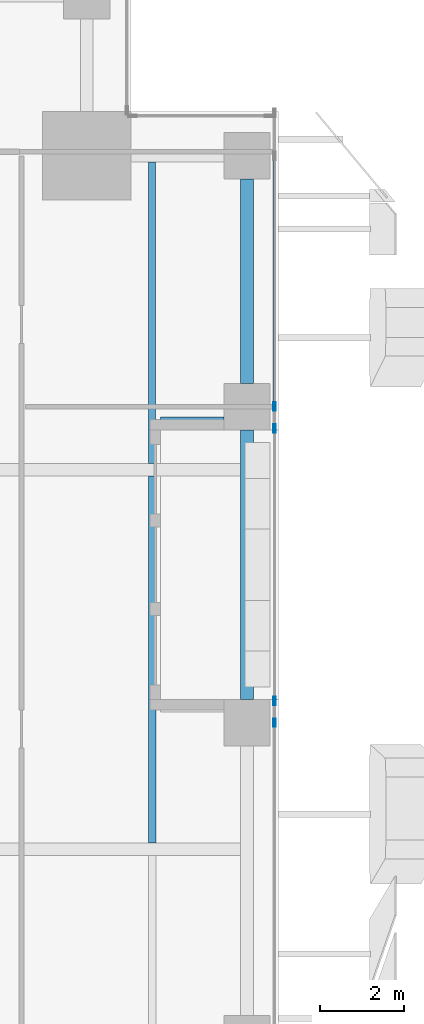
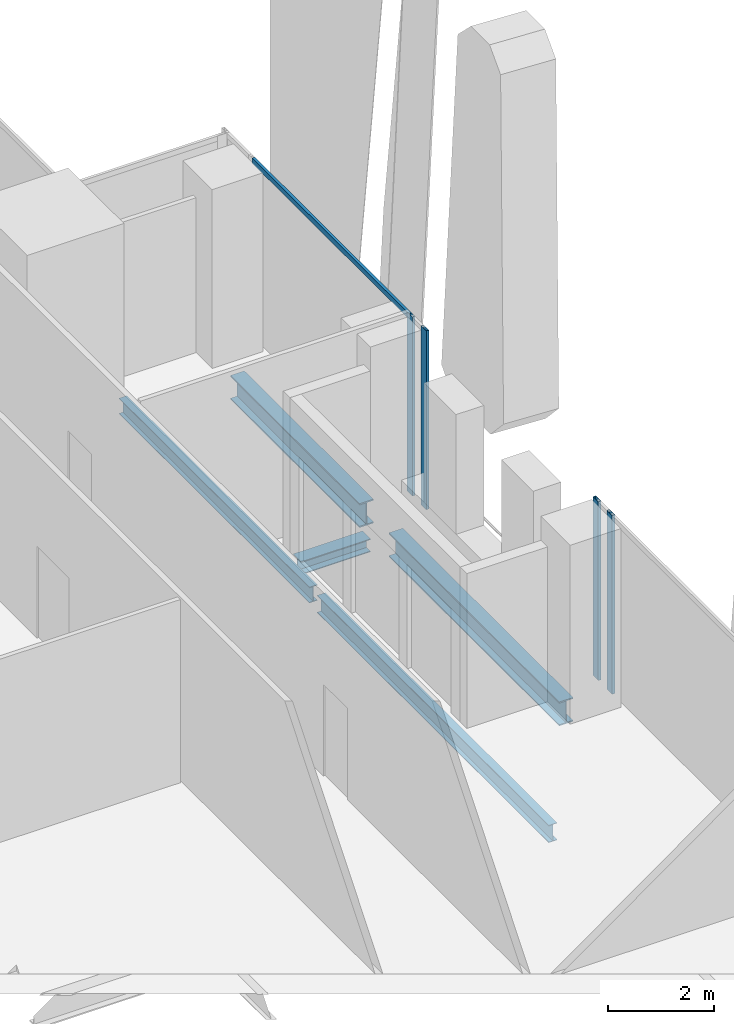
# One storey, part 17 of 35: 5 beams, 5 members, 2 elements without a shape of their own.
"""IFC4 building model written with IfcOpenShell, lengths in metres."""

from ifc_helpers import new_model, si_unit, direction, frame, origin, origin_2d, place, context, subcontext, project, spatial, hollow_rectangle, i_section, extrude, source, transform, mapped, material, material_profile, profile_set, type_object, element, aggregate, save


model = new_model("IFC4")

# Units and contexts
model_context = context("Model", 3, precision=1e-05, world=origin(), true_north=direction((0.0, 1.0)))
body_context = subcontext(model_context, "Body", "Model", "MODEL_VIEW")
ifc_project = project(units=[si_unit("LENGTHUNIT", "METRE"), si_unit("AREAUNIT", "SQUARE_METRE"), si_unit("VOLUMEUNIT", "CUBIC_METRE"), si_unit("PLANEANGLEUNIT", "RADIAN"), si_unit("MASSUNIT", "GRAM", prefix="KILO")], contexts=[model_context])

# Site, building, storey
site_placement = place(None, origin())
site = spatial("IfcSite", under=ifc_project, at=site_placement, CompositionType="ELEMENT")
building_placement = place(site_placement, origin())
building = spatial("IfcBuilding", under=site, at=building_placement, Name="Khomas Fold Tower", CompositionType="ELEMENT")
storey_placement = place(building_placement, frame((0.0, 0.0, 127.89990234375)))
storey = spatial("IfcBuildingStorey", under=building, at=storey_placement, Name="L27", CompositionType="ELEMENT", Elevation=127.89990234375)

# Beams
ifc_material_1 = material(Name="Steel S355", Category="steel")
ifc_material_profile_1 = material_profile(ifc_material_1, i_section(OverallWidth=0.179931640625, OverallDepth=0.39990234375, WebThickness=0.008544921875, FlangeThickness=0.013427734375, at=origin_2d()), Name="IPE 400")
ifc_profile_set_1 = profile_set([ifc_material_profile_1], Name="Steel S355")
beam_type_1 = type_object("IfcBeamType", Name="IPE 400 beam JB3", PredefinedType="BEAM", material=ifc_profile_set_1)
shared_shape_1 = source(origin(), body_context, "Body", "SweptSolid", [
    extrude(i_section(OverallWidth=0.179931640625, OverallDepth=0.39990234375, WebThickness=0.008544921875, FlangeThickness=0.013427734375, at=origin_2d()), origin(), (0.0, 0.0, 1.0), 8.7001953125),
])
beam_1_placement = place(storey_placement, frame((49.5, 31.64990234375, -0.5), z_axis=(0.0, 1.0, 0.0), x_axis=(-1.0, 0.0, 0.0)))
element("IfcBeam", 1, at=beam_1_placement, inside=storey, type_object=beam_type_1, Name="JB3", PredefinedType="BEAM", context=body_context, shape_type="MappedRepresentation", body=[
    mapped(shared_shape_1, transform((0.0, 0.0, 0.0))),
])
ifc_material_2 = material(Name="Steel S355", Category="steel")
ifc_material_profile_2 = material_profile(ifc_material_2, i_section(OverallWidth=0.169921875, OverallDepth=0.360107421875, WebThickness=0.008056640625, FlangeThickness=0.0126953125, at=origin_2d()), Name="IPE 360")
ifc_profile_set_2 = profile_set([ifc_material_profile_2], Name="Steel S355")
beam_type_2 = type_object("IfcBeamType", Name="IPE 360 beam JB2", PredefinedType="BEAM", material=ifc_profile_set_2)
shared_shape_2 = source(origin(), body_context, "Body", "SweptSolid", [
    extrude(i_section(OverallWidth=0.169921875, OverallDepth=0.360107421875, WebThickness=0.008056640625, FlangeThickness=0.0126953125, at=origin_2d()), origin(), (0.0, 0.0, 1.0), 7.150146484375),
])
beam_2_placement = place(storey_placement, frame((49.5, 40.64990234375, -0.47998046875), z_axis=(0.0, 1.0, 0.0), x_axis=(-1.0, 0.0, 0.0)))
element("IfcBeam", 2, at=beam_2_placement, inside=storey, type_object=beam_type_2, Name="JB2", PredefinedType="BEAM", context=body_context, shape_type="MappedRepresentation", body=[
    mapped(shared_shape_2, transform((0.0, 0.0, 0.0))),
])
ifc_material_3 = material(Name="Steel S355", Category="steel")
ifc_material_profile_3 = material_profile(ifc_material_3, i_section(OverallWidth=0.300048828125, OverallDepth=0.550048828125, WebThickness=0.014892578125, FlangeThickness=0.029052734375, at=origin_2d()), Name="HE 550 B")
ifc_profile_set_3 = profile_set([ifc_material_profile_3], Name="Steel S355")
beam_type_3 = type_object("IfcBeamType", Name="HE 550 B spandrel SB2", PredefinedType="SPANDREL", material=ifc_profile_set_3)
shared_shape_3 = source(origin(), body_context, "Body", "SweptSolid", [
    extrude(i_section(OverallWidth=0.300048828125, OverallDepth=0.550048828125, WebThickness=0.014892578125, FlangeThickness=0.029052734375, at=origin_2d()), origin(), (0.0, 0.0, 1.0), 4.849853515625),
])
beam_3_placement = place(storey_placement, frame((51.75, 42.550048828125, -0.574951171875), z_axis=(0.0, 1.0, 0.0), x_axis=(-1.0, 0.0, 0.0)))
element("IfcBeam", 3, at=beam_3_placement, inside=storey, type_object=beam_type_3, Name="SB2", PredefinedType="SPANDREL", context=body_context, shape_type="MappedRepresentation", body=[
    mapped(shared_shape_3, transform((0.0, 0.0, 0.0))),
])
shared_shape_4 = source(origin(), body_context, "Body", "SweptSolid", [
    extrude(i_section(OverallWidth=0.300048828125, OverallDepth=0.550048828125, WebThickness=0.014892578125, FlangeThickness=0.029052734375, at=origin_2d()), origin(), (0.0, 0.0, 1.0), 6.39990234375),
])
beam_4_placement = place(storey_placement, frame((51.75, 35.050048828125, -0.574951171875), z_axis=(0.0, 1.0, 0.0), x_axis=(-1.0, 0.0, 0.0)))
element("IfcBeam", 4, at=beam_4_placement, inside=storey, type_object=beam_type_3, Name="SB2", PredefinedType="SPANDREL", context=body_context, shape_type="MappedRepresentation", body=[
    mapped(shared_shape_4, transform((0.0, 0.0, 0.0))),
])
ifc_material_4 = material(Name="Steel S355", Category="steel")
ifc_material_profile_4 = material_profile(ifc_material_4, i_section(OverallWidth=0.300048828125, OverallDepth=0.300048828125, WebThickness=0.010986328125, FlangeThickness=0.01904296875, at=origin_2d()), Name="HE 300 B")
ifc_profile_set_4 = profile_set([ifc_material_profile_4], Name="Steel S355")
beam_type_4 = type_object("IfcBeamType", Name="HE 300 B beam BB1", PredefinedType="BEAM", material=ifc_profile_set_4)
shared_shape_5 = source(origin(), body_context, "Body", "SweptSolid", [
    extrude(i_section(OverallWidth=0.300048828125, OverallDepth=0.300048828125, WebThickness=0.010986328125, FlangeThickness=0.01904296875, at=origin_2d()), origin(), (0.0, 0.0, 1.0), 1.5),
])
beam_5_placement = place(storey_placement, frame((49.699951171875, 41.60009765625, -0.449951171875), z_axis=(1.0, 0.0, 0.0), x_axis=(0.0, 1.0, 0.0)))
element("IfcBeam", 5, at=beam_5_placement, inside=storey, type_object=beam_type_4, Name="BB1", PredefinedType="BEAM", context=body_context, shape_type="MappedRepresentation", body=[
    mapped(shared_shape_5, transform((0.0, 0.0, 0.0))),
])

# Curtain wall, members
ifc_material_5 = material(Name="Aluminium framed double glazing", Category="aluminium")
curtain_wall_type = type_object("IfcCurtainWallType", Name="SK-Unitised clear-glass wall, growing floors CW1", PredefinedType="NOTDEFINED", material=ifc_material_5)
curtain_wall_1_placement = place(storey_placement, origin())
curtain_wall_1 = element("IfcCurtainWall", 6, at=curtain_wall_1_placement, inside=storey, type_object=curtain_wall_type, Name="CW1 run L27 03-0", PredefinedType="NOTDEFINED")
ifc_material_6 = material(Name="Aluminium", Category="aluminium")
ifc_material_profile_5 = material_profile(ifc_material_6, hollow_rectangle(XDim=0.06005859375, YDim=0.199951171875, WallThickness=0.00390625, at=origin_2d()), Name="SK-Unitised clear-glass wall, growing floors mullion CW1-M")
ifc_profile_set_5 = profile_set([ifc_material_profile_5], Name="Aluminium")
member_type_1 = type_object("IfcMemberType", Name="SK-Unitised clear-glass wall, growing floors mullion CW1-M", PredefinedType="MULLION", material=ifc_profile_set_5)
shared_shape_6 = source(origin(), body_context, "Body", "SweptSolid", [
    extrude(hollow_rectangle(XDim=0.06005859375, YDim=0.199951171875, WallThickness=0.00390625, at=origin_2d()), origin(), (0.0, 0.0, 1.0), 4.10009765625),
])
member_1_placement = place(storey_placement, frame((52.39990234375, 34.5, 0.0), z_axis=(0.0, 0.0, 1.0), x_axis=(-1.0, 0.0, 0.0)))
member_1 = element("IfcMember", 7, at=member_1_placement, type_object=member_type_1, Name="CW1 mullion 6", PredefinedType="MULLION", context=body_context, shape_type="MappedRepresentation", body=[
    mapped(shared_shape_6, transform((0.0, 0.0, 0.0))),
])
member_2_placement = place(storey_placement, frame((52.39990234375, 35.02001953125, 0.0), z_axis=(0.0, 0.0, 1.0), x_axis=(-1.0, 0.0, 0.0)))
member_2 = element("IfcMember", 8, at=member_2_placement, type_object=member_type_1, Name="CW1 mullion 7", PredefinedType="MULLION", context=body_context, shape_type="MappedRepresentation", body=[
    mapped(shared_shape_6, transform((0.0, 0.0, 0.0))),
])
aggregate(curtain_wall_1, [member_1, member_2])

curtain_wall_2_placement = place(storey_placement, origin())
curtain_wall_2 = element("IfcCurtainWall", 9, at=curtain_wall_2_placement, inside=storey, type_object=curtain_wall_type, Name="CW1 run L27 03-1", PredefinedType="NOTDEFINED")
member_3_placement = place(storey_placement, frame((52.39990234375, 41.47998046875, 0.0), z_axis=(0.0, 0.0, 1.0), x_axis=(-1.0, 0.0, 0.0)))
member_3 = element("IfcMember", 10, at=member_3_placement, type_object=member_type_1, Name="CW1 mullion 1", PredefinedType="MULLION", context=body_context, shape_type="MappedRepresentation", body=[
    mapped(shared_shape_6, transform((0.0, 0.0, 0.0))),
])
member_4_placement = place(storey_placement, frame((52.39990234375, 42.0, 0.0), z_axis=(0.0, 0.0, 1.0), x_axis=(-1.0, 0.0, 0.0)))
member_4 = element("IfcMember", 11, at=member_4_placement, type_object=member_type_1, Name="CW1 mullion 2", PredefinedType="MULLION", context=body_context, shape_type="MappedRepresentation", body=[
    mapped(shared_shape_6, transform((0.0, 0.0, 0.0))),
])
ifc_material_7 = material(Name="Aluminium", Category="aluminium")
ifc_material_profile_6 = material_profile(ifc_material_7, hollow_rectangle(XDim=0.06005859375, YDim=0.1201171875, WallThickness=0.00390625, at=origin_2d()), Name="SK-Unitised clear-glass wall, growing floors transom CW1-T")
ifc_profile_set_6 = profile_set([ifc_material_profile_6], Name="Aluminium")
member_type_2 = type_object("IfcMemberType", Name="SK-Unitised clear-glass wall, growing floors transom CW1-T", PredefinedType="USERDEFINED", material=ifc_profile_set_6)
shared_shape_7 = source(origin(), body_context, "Body", "SweptSolid", [
    extrude(hollow_rectangle(XDim=0.06005859375, YDim=0.1201171875, WallThickness=0.00390625, at=origin_2d()), origin(), (0.0, 0.0, 1.0), 5.889892578125),
])
member_5_placement = place(storey_placement, frame((52.39990234375, 42.030029296875, 4.0400390625), z_axis=(0.0, 1.0, 0.0), x_axis=(-1.0, 0.0, 0.0)))
member_5 = element("IfcMember", 12, at=member_5_placement, type_object=member_type_2, Name="CW1 transom 2", ObjectType="TRANSOM", PredefinedType="USERDEFINED", context=body_context, shape_type="MappedRepresentation", body=[
    mapped(shared_shape_7, transform((0.0, 0.0, 0.0))),
])
aggregate(curtain_wall_2, [member_3, member_4, member_5])

save(model, "model.ifc")
